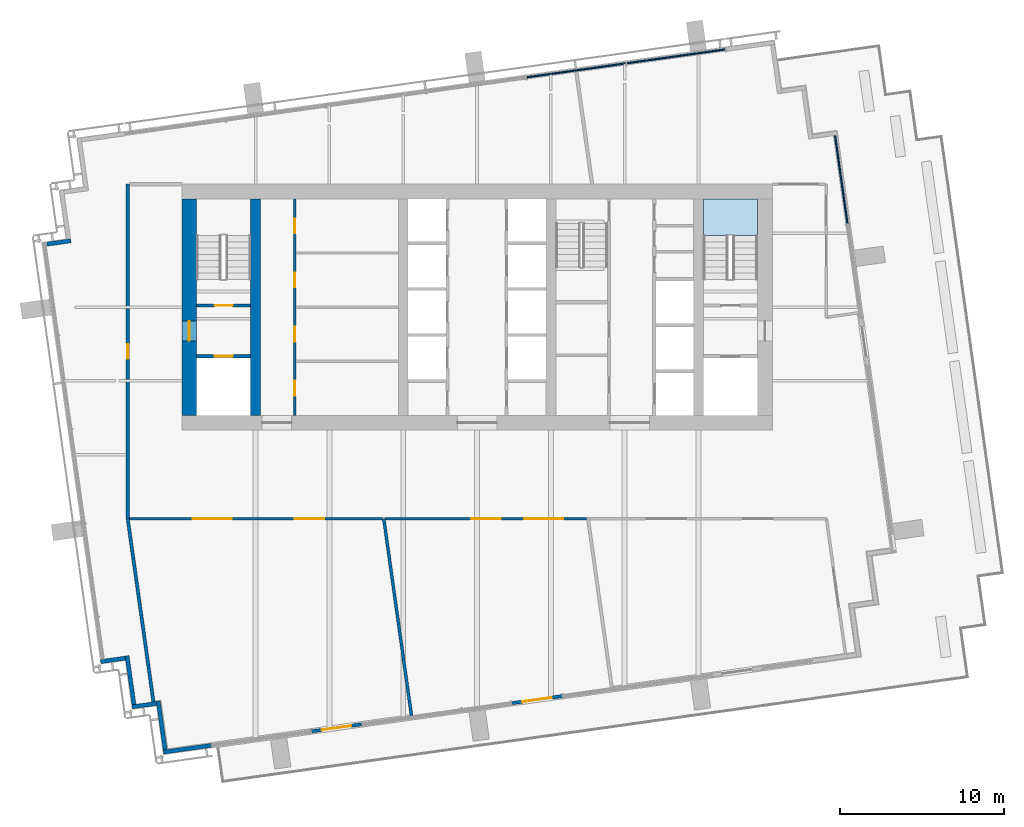
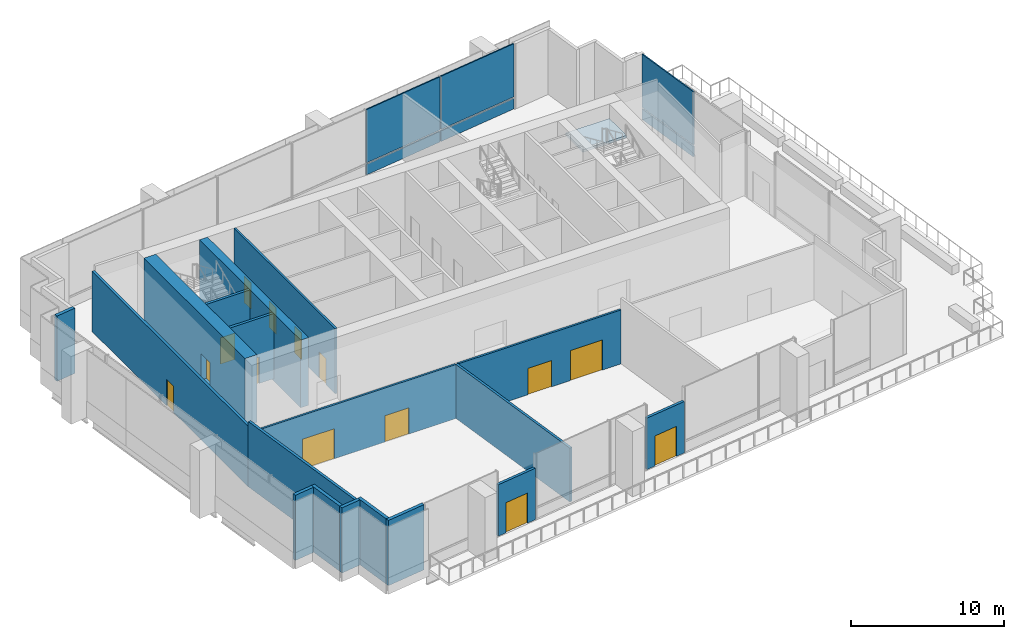
# One storey, part 6 of 14: 18 walls, 12 doors, 6 plates, 2 windows, 1 slab, 14 openings, 3 elements without a shape of their own.
"""IFC4 building model written with IfcOpenShell, lengths in metres."""

from ifc_helpers import new_model, si_unit, direction, frame, frame_2d, origin, origin_2d, place, context, subcontext, project, spatial, polyline, rectangle, outline, extrude, material, layer, layer_set, type_object, element, fill, aggregate, save


model = new_model("IFC4")

# Units and contexts
model_context = context("Model", 3, precision=1e-05, world=origin(), true_north=direction((0.0, 1.0)))
body_context = subcontext(model_context, "Body", "Model", "MODEL_VIEW")
ifc_project = project(units=[si_unit("LENGTHUNIT", "METRE"), si_unit("AREAUNIT", "SQUARE_METRE"), si_unit("VOLUMEUNIT", "CUBIC_METRE"), si_unit("PLANEANGLEUNIT", "RADIAN"), si_unit("MASSUNIT", "GRAM", prefix="KILO")], contexts=[model_context])

# Site, building, storey
site_placement = place(None, origin())
site = spatial("IfcSite", under=ifc_project, at=site_placement, CompositionType="ELEMENT")
building_placement = place(site_placement, origin())
building = spatial("IfcBuilding", under=site, at=building_placement, Name="Rattan Terrace Tower", CompositionType="ELEMENT")
storey_placement = place(building_placement, frame((0.0, 0.0, 249.699951171875)))
storey = spatial("IfcBuildingStorey", under=building, at=storey_placement, Name="L57", CompositionType="ELEMENT", Elevation=249.699951171875)

# Stair, slab
ifc_material_1 = material(Name="Concrete C40/50", Category="concrete")
stair_type = type_object("IfcStairType", Name="Core exit stair 1500", PredefinedType="HALF_TURN_STAIR", material=ifc_material_1)
stair_placement = place(storey_placement, origin())
stair = element("IfcStair", 1, at=stair_placement, inside=storey, type_object=stair_type, Name="L57 exit stair 2", PredefinedType="HALF_TURN_STAIR")
ifc_material_2 = material(Name="Concrete C40/50", Category="concrete")
ifc_layer_1 = layer(ifc_material_2, 0.199951171875)
ifc_layer_set_1 = layer_set([ifc_layer_1], Name="Core exit stair landing")
slab_type = type_object("IfcSlabType", Name="Core exit stair landing", PredefinedType="LANDING", material=ifc_layer_set_1)
slab_placement = place(storey_placement, frame((0.0, 0.0, 3.85009765625)))
slab = element("IfcSlab", 2, at=slab_placement, type_object=slab_type, Name="S2 landing 3", PredefinedType="LANDING", context=body_context, shape_type="SweptSolid", body=[
    extrude(outline(polyline([(17.10009765625, 4.360107421875), (17.10009765625, 6.60009765625), (13.800048828125, 6.60009765625), (13.800048828125, 4.360107421875), (17.10009765625, 4.360107421875)])), origin(), (0.0, 0.0, 1.0), 0.199951171875),
])
aggregate(stair, [slab])

# Curtain wall, plate
ifc_material_3 = material(Name="Steel fins, aluminium and glass", Category="steel")
ifc_layer_2 = layer(ifc_material_3, 0.300048828125)
ifc_layer_set_2 = layer_set([ifc_layer_2], Name="Sky Lobby Stick Curtain Wall")
curtain_wall_type = type_object("IfcCurtainWallType", Name="Sky Lobby Stick Curtain Wall", PredefinedType="NOTDEFINED", material=ifc_layer_set_2)
curtain_wall_1_placement = place(storey_placement, origin())
curtain_wall_1 = element("IfcCurtainWall", 3, at=curtain_wall_1_placement, inside=storey, type_object=curtain_wall_type, Name="Sky lobby curtain wall L57-2", PredefinedType="NOTDEFINED")
ifc_material_4 = material(Name="Insulated aluminium spandrel panel", Category="aluminium")
ifc_layer_3 = layer(ifc_material_4, 0.10009765625)
ifc_layer_set_3 = layer_set([ifc_layer_3], Name="Sky Lobby CW Insulated Panel")
plate_type_1 = type_object("IfcPlateType", Name="Sky Lobby CW Insulated Panel", PredefinedType="CURTAIN_PANEL", material=ifc_layer_set_3)
plate_1_placement = place(storey_placement, frame((22.203369140625, 7.772705078125, 0.0), z_axis=(0.0, 0.0, 1.0), x_axis=(-0.139191775431, 0.990265444036, 0.0)))
plate_1 = element("IfcPlate", 4, at=plate_1_placement, type_object=plate_type_1, Name="Panel cwl-L57-002.2.1", PredefinedType="CURTAIN_PANEL", context=body_context, shape_type="SweptSolid", body=[
    extrude(rectangle(XDim=5.442138671875, YDim=0.10009765625, at=origin_2d()), origin(), (0.0, 0.0, 1.0), 0.840087890625),
])

# Curtain wall, plates
curtain_wall_2_placement = place(storey_placement, origin())
curtain_wall_2 = element("IfcCurtainWall", 5, at=curtain_wall_2_placement, inside=storey, type_object=curtain_wall_type, Name="Sky lobby curtain wall L57-3", PredefinedType="NOTDEFINED")
plate_2_placement = place(storey_placement, frame((12.126953125, 15.289794921875, 0.0), z_axis=(0.0, 0.0, 1.0), x_axis=(-0.990265894013, -0.139188574079, 0.0)))
plate_2 = element("IfcPlate", 6, at=plate_2_placement, type_object=plate_type_1, Name="Panel cwl-L57-003.1.1", PredefinedType="CURTAIN_PANEL", context=body_context, shape_type="SweptSolid", body=[
    extrude(rectangle(XDim=6.0458984375, YDim=0.10009765625, at=origin_2d()), origin(), (0.0, 0.0, 1.0), 0.840087890625),
])
plate_3_placement = place(storey_placement, frame((6.040771484375, 14.434326171875, 0.0), z_axis=(0.0, 0.0, 1.0), x_axis=(-0.990265894013, -0.139188574079, 0.0)))
plate_3 = element("IfcPlate", 7, at=plate_3_placement, type_object=plate_type_1, Name="Panel cwl-L57-003.2.1", PredefinedType="CURTAIN_PANEL", context=body_context, shape_type="SweptSolid", body=[
    extrude(rectangle(XDim=6.0859375, YDim=0.10009765625, at=origin_2d()), origin(), (0.0, 0.0, 1.0), 0.840087890625),
])

# Plate
ifc_material_5 = material(Name="Laminated low-iron glass", Category="glass")
ifc_layer_4 = layer(ifc_material_5, 0.090087890625)
ifc_layer_set_4 = layer_set([ifc_layer_4], Name="Sky Lobby CW Vision Panel")
plate_type_2 = type_object("IfcPlateType", Name="Sky Lobby CW Vision Panel", PredefinedType="CURTAIN_PANEL", material=ifc_layer_set_4)
plate_4_placement = place(storey_placement, frame((22.203369140625, 7.772705078125, 0.9599609375), z_axis=(0.0, 0.0, 1.0), x_axis=(-0.139191775431, 0.990265444036, 0.0)))
plate_4 = element("IfcPlate", 8, at=plate_4_placement, type_object=plate_type_2, Name="Panel cwl-L57-002.2.2", PredefinedType="CURTAIN_PANEL", context=body_context, shape_type="SweptSolid", body=[
    extrude(rectangle(XDim=5.442138671875, YDim=0.090087890625, at=origin_2d()), origin(), (0.0, 0.0, 1.0), 4.239990234375),
])

aggregate(curtain_wall_1, [plate_1, plate_4])

plate_5_placement = place(storey_placement, frame((12.126953125, 15.289794921875, 0.9599609375), z_axis=(0.0, 0.0, 1.0), x_axis=(-0.990265894013, -0.139188574079, 0.0)))
plate_5 = element("IfcPlate", 9, at=plate_5_placement, type_object=plate_type_2, Name="Panel cwl-L57-003.1.2", PredefinedType="CURTAIN_PANEL", context=body_context, shape_type="SweptSolid", body=[
    extrude(rectangle(XDim=6.0458984375, YDim=0.090087890625, at=origin_2d()), origin(), (0.0, 0.0, 1.0), 4.239990234375),
])

plate_6_placement = place(storey_placement, frame((6.040771484375, 14.434326171875, 0.9599609375), z_axis=(0.0, 0.0, 1.0), x_axis=(-0.990265894013, -0.139188574079, 0.0)))
plate_6 = element("IfcPlate", 10, at=plate_6_placement, type_object=plate_type_2, Name="Panel cwl-L57-003.2.2", PredefinedType="CURTAIN_PANEL", context=body_context, shape_type="SweptSolid", body=[
    extrude(rectangle(XDim=6.0859375, YDim=0.090087890625, at=origin_2d()), origin(), (0.0, 0.0, 1.0), 4.239990234375),
])

aggregate(curtain_wall_2, [plate_2, plate_5, plate_3, plate_6])

# Wall, openings, doors
ifc_material_6 = material(Name="Gypsum board partition")
ifc_layer_5 = layer(ifc_material_6, 0.14990234375)
ifc_layer_set_5 = layer_set([ifc_layer_5], Name="Core partition 150")
wall_type_1 = type_object("IfcWallType", Name="Core partition 150", PredefinedType="PARTITIONING", material=ifc_layer_set_5)
wall_1_placement = place(storey_placement, frame((-11.125, -6.60009765625, 0.0), z_axis=(0.0, 0.0, 1.0), x_axis=(0.0, 1.0, 0.0)))
wall_1 = element("IfcWall", 11, at=wall_1_placement, inside=storey, type_object=wall_type_1, Name="Core room wall", PredefinedType="PARTITIONING", context=body_context, shape_type="SweptSolid", body=[
    extrude(rectangle(XDim=13.2001953125, YDim=0.14990234375, at=frame_2d((6.60009765625, 0.0))), origin(), (0.0, 0.0, 1.0), 5.199951171875),
])
opening_1_placement = place(wall_1_placement, frame((1.199951171875, 0.0, 0.0)))
opening_1 = element("IfcOpeningElement", 12, at=opening_1_placement, cuts=wall_1, Name="Opening L57-D005", PredefinedType="OPENING", context=body_context, shape_type="SweptSolid", body=[
    extrude(rectangle(XDim=0.89990234375, YDim=2.10009765625, at=frame_2d((0.449951171875, 1.050048828125))), frame((0.0, 0.08544921875, 0.0), z_axis=(0.0, -1.0, 0.0), x_axis=(1.0, 0.0, 0.0)), (0.0, 0.0, 1.0), 0.1708984375),
])
opening_2_placement = place(wall_1_placement, frame((4.5, 0.0, 0.0)))
opening_2 = element("IfcOpeningElement", 13, at=opening_2_placement, cuts=wall_1, Name="Opening L57-D006", PredefinedType="OPENING", context=body_context, shape_type="SweptSolid", body=[
    extrude(rectangle(XDim=0.89990234375, YDim=2.10009765625, at=frame_2d((0.449951171875, 1.050048828125))), frame((0.0, 0.08544921875, 0.0), z_axis=(0.0, -1.0, 0.0), x_axis=(1.0, 0.0, 0.0)), (0.0, 0.0, 1.0), 0.1708984375),
])
opening_3_placement = place(wall_1_placement, frame((7.800048828125, 0.0, 0.0)))
opening_3 = element("IfcOpeningElement", 14, at=opening_3_placement, cuts=wall_1, Name="Opening L57-D007", PredefinedType="OPENING", context=body_context, shape_type="SweptSolid", body=[
    extrude(rectangle(XDim=0.89990234375, YDim=2.10009765625, at=frame_2d((0.449951171875, 1.050048828125))), frame((0.0, 0.08544921875, 0.0), z_axis=(0.0, -1.0, 0.0), x_axis=(1.0, 0.0, 0.0)), (0.0, 0.0, 1.0), 0.1708984375),
])
opening_4_placement = place(wall_1_placement, frame((11.10009765625, 0.0, 0.0)))
opening_4 = element("IfcOpeningElement", 15, at=opening_4_placement, cuts=wall_1, Name="Opening L57-D008", PredefinedType="OPENING", context=body_context, shape_type="SweptSolid", body=[
    extrude(rectangle(XDim=0.89990234375, YDim=2.10009765625, at=frame_2d((0.449951171875, 1.050048828125))), frame((0.0, 0.08544921875, 0.0), z_axis=(0.0, -1.0, 0.0), x_axis=(1.0, 0.0, 0.0)), (0.0, 0.0, 1.0), 0.1708984375),
])
ifc_material_7 = material(Name="Hollow-metal fire door leaf")
door_type_1 = type_object("IfcDoorType", Name="Core service room door 900", OperationType="NOTDEFINED", PredefinedType="DOOR", material=ifc_material_7)
door_1_placement = place(opening_1_placement, origin())
door_1 = element("IfcDoor", 16, at=door_1_placement, inside=storey, type_object=door_type_1, Name="Door L57-D005", OperationType="SINGLE_SWING_RIGHT", OverallHeight=2.10009765625, OverallWidth=0.89990234375, PredefinedType="DOOR", context=body_context, shape_type="SweptSolid", body=[
    extrude(rectangle(XDim=0.89990234375, YDim=2.10009765625, at=frame_2d((0.449951171875, 1.050048828125))), frame((0.0, 0.02490234375, 0.0), z_axis=(0.0, -1.0, 0.0), x_axis=(1.0, 0.0, 0.0)), (0.0, 0.0, 1.0), 0.050048828125),
])
fill(opening_1, door_1)
door_2_placement = place(opening_2_placement, origin())
door_2 = element("IfcDoor", 17, at=door_2_placement, inside=storey, type_object=door_type_1, Name="Door L57-D006", OperationType="SINGLE_SWING_LEFT", OverallHeight=2.10009765625, OverallWidth=0.89990234375, PredefinedType="DOOR", context=body_context, shape_type="SweptSolid", body=[
    extrude(rectangle(XDim=0.89990234375, YDim=2.10009765625, at=frame_2d((0.449951171875, 1.050048828125))), frame((0.0, 0.02490234375, 0.0), z_axis=(0.0, -1.0, 0.0), x_axis=(1.0, 0.0, 0.0)), (0.0, 0.0, 1.0), 0.050048828125),
])
fill(opening_2, door_2)
door_3_placement = place(opening_3_placement, origin())
door_3 = element("IfcDoor", 18, at=door_3_placement, inside=storey, type_object=door_type_1, Name="Door L57-D007", OperationType="SINGLE_SWING_RIGHT", OverallHeight=2.10009765625, OverallWidth=0.89990234375, PredefinedType="DOOR", context=body_context, shape_type="SweptSolid", body=[
    extrude(rectangle(XDim=0.89990234375, YDim=2.10009765625, at=frame_2d((0.449951171875, 1.050048828125))), frame((0.0, 0.02490234375, 0.0), z_axis=(0.0, -1.0, 0.0), x_axis=(1.0, 0.0, 0.0)), (0.0, 0.0, 1.0), 0.050048828125),
])
fill(opening_3, door_3)
door_4_placement = place(opening_4_placement, origin())
door_4 = element("IfcDoor", 19, at=door_4_placement, inside=storey, type_object=door_type_1, Name="Door L57-D008", OperationType="SINGLE_SWING_LEFT", OverallHeight=2.10009765625, OverallWidth=0.89990234375, PredefinedType="DOOR", context=body_context, shape_type="SweptSolid", body=[
    extrude(rectangle(XDim=0.89990234375, YDim=2.10009765625, at=frame_2d((0.449951171875, 1.050048828125))), frame((0.0, 0.02490234375, 0.0), z_axis=(0.0, -1.0, 0.0), x_axis=(1.0, 0.0, 0.0)), (0.0, 0.0, 1.0), 0.050048828125),
])
fill(opening_4, door_4)

# Wall, opening, door
ifc_material_8 = material(Name="Gypsum board partition")
ifc_layer_6 = layer(ifc_material_8, 0.199951171875)
ifc_layer_set_6 = layer_set([ifc_layer_6], Name="Core partition 200")
wall_type_2 = type_object("IfcWallType", Name="Core partition 200", PredefinedType="PARTITIONING", material=ifc_layer_set_6)
wall_2_placement = place(storey_placement, frame((-17.10009765625, -3.0, 0.0), z_axis=(0.0, 0.0, 1.0), x_axis=(1.0, 0.0, 0.0)))
wall_2 = element("IfcWall", 20, at=wall_2_placement, inside=storey, type_object=wall_type_2, Name="Fire-fighting lobby wall", PredefinedType="PARTITIONING", context=body_context, shape_type="SweptSolid", body=[
    extrude(rectangle(XDim=3.300048828125, YDim=0.199951171875, at=frame_2d((1.64990234375, 0.0))), origin(), (0.0, 0.0, 1.0), 5.199951171875),
])
opening_5_placement = place(wall_2_placement, frame((1.10009765625, 0.0, 0.0)))
opening_5 = element("IfcOpeningElement", 21, at=opening_5_placement, cuts=wall_2, Name="Opening L57-LD-FF1", PredefinedType="OPENING", context=body_context, shape_type="SweptSolid", body=[
    extrude(rectangle(XDim=1.10009765625, YDim=2.10009765625, at=frame_2d((0.550048828125, 1.050048828125))), frame((0.0, 0.110595703125, 0.0), z_axis=(0.0, -1.0, 0.0), x_axis=(1.0, 0.0, 0.0)), (0.0, 0.0, 1.0), 0.220947265625),
])
ifc_material_9 = material(Name="Brushed stainless landing door panel")
door_type_2 = type_object("IfcDoorType", Name="Core lift landing door 1100", OperationType="DOUBLE_DOOR_SLIDING", PredefinedType="DOOR", material=ifc_material_9)
door_5_placement = place(opening_5_placement, origin())
door_5 = element("IfcDoor", 22, at=door_5_placement, inside=storey, type_object=door_type_2, Name="Door L57-LD-FF1", OperationType="DOUBLE_DOOR_SLIDING", OverallHeight=2.10009765625, OverallWidth=1.10009765625, PredefinedType="DOOR", context=body_context, shape_type="SweptSolid", body=[
    extrude(rectangle(XDim=1.10009765625, YDim=2.10009765625, at=frame_2d((0.550048828125, 1.050048828125))), frame((0.0, 0.02490234375, 0.0), z_axis=(0.0, -1.0, 0.0), x_axis=(1.0, 0.0, 0.0)), (0.0, 0.0, 1.0), 0.050048828125),
])
fill(opening_5, door_5)

wall_3_placement = place(storey_placement, frame((-17.10009765625, 0.10009765625, 0.0), z_axis=(0.0, 0.0, 1.0), x_axis=(1.0, 0.0, 0.0)))
wall_3 = element("IfcWall", 23, at=wall_3_placement, inside=storey, type_object=wall_type_2, Name="Stair enclosure wall", PredefinedType="PARTITIONING", context=body_context, shape_type="SweptSolid", body=[
    extrude(rectangle(XDim=3.300048828125, YDim=0.199951171875, at=frame_2d((1.64990234375, 0.0))), origin(), (0.0, 0.0, 1.0), 5.199951171875),
])
opening_6_placement = place(wall_3_placement, frame((1.10009765625, 0.0, 0.0)))
opening_6 = element("IfcOpeningElement", 24, at=opening_6_placement, cuts=wall_3, Name="Opening L57-D002", PredefinedType="OPENING", context=body_context, shape_type="SweptSolid", body=[
    extrude(rectangle(XDim=1.10009765625, YDim=2.10009765625, at=frame_2d((0.550048828125, 1.050048828125))), frame((0.0, 0.110595703125, 0.0), z_axis=(0.0, -1.0, 0.0), x_axis=(1.0, 0.0, 0.0)), (0.0, 0.0, 1.0), 0.220947265625),
])
ifc_material_10 = material(Name="Hollow-metal fire door leaf")
door_type_3 = type_object("IfcDoorType", Name="Core stair door 1100", OperationType="NOTDEFINED", PredefinedType="DOOR", material=ifc_material_10)
door_6_placement = place(opening_6_placement, origin())
door_6 = element("IfcDoor", 25, at=door_6_placement, inside=storey, type_object=door_type_3, Name="Door L57-D002", OperationType="SINGLE_SWING_LEFT", OverallHeight=2.10009765625, OverallWidth=1.10009765625, PredefinedType="DOOR", context=body_context, shape_type="SweptSolid", body=[
    extrude(rectangle(XDim=1.10009765625, YDim=2.10009765625, at=frame_2d((0.550048828125, 1.050048828125))), frame((0.0, 0.02490234375, 0.0), z_axis=(0.0, -1.0, 0.0), x_axis=(1.0, 0.0, 0.0)), (0.0, 0.0, 1.0), 0.050048828125),
])
fill(opening_6, door_6)

ifc_material_11 = material(Name="Concrete C50/60", Category="concrete")
ifc_layer_7 = layer(ifc_material_11, 0.89990234375)
ifc_layer_set_7 = layer_set([ifc_layer_7], Name="Core ring wall 900 C50/60")
wall_type_3 = type_object("IfcWallType", Name="Core ring wall 900 C50/60", PredefinedType="SHEAR", material=ifc_layer_set_7)
wall_4_placement = place(storey_placement, frame((-17.550048828125, -6.60009765625, -0.199951171875), z_axis=(0.0, 0.0, 1.0), x_axis=(0.0, 1.0, 0.0)))
wall_4 = element("IfcWall", 26, at=wall_4_placement, inside=storey, type_object=wall_type_3, Name="Rear core wall west", PredefinedType="SHEAR", context=body_context, shape_type="SweptSolid", body=[
    extrude(rectangle(XDim=13.2001953125, YDim=0.89990234375, at=frame_2d((6.60009765625, 0.0))), origin(), (0.0, 0.0, 1.0), 5.39990234375),
])
opening_7_placement = place(wall_4_placement, frame((4.550048828125, 0.0, 0.199951171875)))
opening_7 = element("IfcOpeningElement", 27, at=opening_7_placement, cuts=wall_4, Name="Opening L57-D001", PredefinedType="OPENING", context=body_context, shape_type="SweptSolid", body=[
    extrude(rectangle(XDim=1.199951171875, YDim=2.10009765625, at=frame_2d((0.60009765625, 1.050048828125))), frame((0.0, 0.46044921875, 0.0), z_axis=(0.0, -1.0, 0.0), x_axis=(1.0, 0.0, 0.0)), (0.0, 0.0, 1.0), 0.9208984375),
])
ifc_material_12 = material(Name="Hollow-metal fire door leaf")
door_type_4 = type_object("IfcDoorType", Name="Core fire-fighting lobby door 1200", OperationType="NOTDEFINED", PredefinedType="DOOR", material=ifc_material_12)
door_7_placement = place(opening_7_placement, origin())
door_7 = element("IfcDoor", 28, at=door_7_placement, inside=storey, type_object=door_type_4, Name="Door L57-D001", OperationType="SINGLE_SWING_RIGHT", OverallHeight=2.10009765625, OverallWidth=1.199951171875, PredefinedType="DOOR", context=body_context, shape_type="SweptSolid", body=[
    extrude(rectangle(XDim=1.199951171875, YDim=2.10009765625, at=frame_2d((0.60009765625, 1.050048828125))), frame((0.0, 0.02490234375, 0.0), z_axis=(0.0, -1.0, 0.0), x_axis=(1.0, 0.0, 0.0)), (0.0, 0.0, 1.0), 0.050048828125),
])
fill(opening_7, door_7)

# Wall
ifc_material_13 = material(Name="Concrete C50/60", Category="concrete")
ifc_layer_8 = layer(ifc_material_13, 0.60009765625)
ifc_layer_set_8 = layer_set([ifc_layer_8], Name="Core spine wall 600 C50/60")
wall_type_4 = type_object("IfcWallType", Name="Core spine wall 600 C50/60", PredefinedType="SHEAR", material=ifc_layer_set_8)
wall_5_placement = place(storey_placement, frame((-13.5, -6.60009765625, -0.199951171875), z_axis=(0.0, 0.0, 1.0), x_axis=(0.0, 1.0, 0.0)))
element("IfcWall", 29, at=wall_5_placement, inside=storey, type_object=wall_type_4, Name="Core spine wall 1", PredefinedType="SHEAR", context=body_context, shape_type="SweptSolid", body=[
    extrude(rectangle(XDim=13.2001953125, YDim=0.60009765625, at=frame_2d((6.60009765625, 0.0))), origin(), (0.0, 0.0, 1.0), 5.39990234375),
])

# Wall, opening, door
ifc_material_14 = material(Name="Insulated aluminium-clad stud wall", Category="aluminium")
ifc_layer_9 = layer(ifc_material_14, 0.199951171875)
ifc_layer_set_9 = layer_set([ifc_layer_9], Name="Facade Door Wall 200")
wall_type_5 = type_object("IfcWallType", Name="Facade Door Wall 200", PredefinedType="SOLIDWALL", material=ifc_layer_set_9)
wall_6_placement = place(storey_placement, frame((-10.09375, -25.863525390625, 0.0), z_axis=(0.0, 0.0, 1.0), x_axis=(0.990262208678, 0.139214791112, 0.0)))
wall_6 = element("IfcWall", 30, at=wall_6_placement, inside=storey, type_object=wall_type_5, Name="Terrace door wall L57-22", PredefinedType="SOLIDWALL", context=body_context, shape_type="SweptSolid", body=[
    extrude(rectangle(XDim=3.0830078125, YDim=0.199951171875, at=frame_2d((1.54150390625, 0.0))), origin(), (0.0, 0.0, 1.0), 4.10009765625),
])
opening_8_placement = place(wall_6_placement, frame((0.6416015625, 0.0, 0.0)))
opening_8 = element("IfcOpeningElement", 31, at=opening_8_placement, cuts=wall_6, Name="Opening L57-D702", PredefinedType="OPENING", context=body_context, shape_type="SweptSolid", body=[
    extrude(rectangle(XDim=1.800048828125, YDim=2.39990234375, at=frame_2d((0.89990234375, 1.199951171875))), frame((0.0, 0.110595703125, 0.0), z_axis=(0.0, -1.0, 0.0), x_axis=(1.0, 0.0, 0.0)), (0.0, 0.0, 1.0), 0.220947265625),
])
ifc_material_15 = material(Name="Aluminium and clear glass", Category="aluminium")
door_type_5 = type_object("IfcDoorType", Name="Facade Terrace Door 1800", OperationType="DOUBLE_DOOR_SINGLE_SWING", PredefinedType="DOOR", material=ifc_material_15)
door_8_placement = place(opening_8_placement, origin())
door_8 = element("IfcDoor", 32, at=door_8_placement, inside=storey, type_object=door_type_5, Name="Terrace door L57-D702", OperationType="DOUBLE_DOOR_SINGLE_SWING", OverallHeight=2.39990234375, OverallWidth=1.800048828125, PredefinedType="DOOR", context=body_context, shape_type="SweptSolid", body=[
    extrude(rectangle(XDim=1.800048828125, YDim=2.39990234375, at=frame_2d((0.89990234375, 1.199951171875))), frame((0.0, 0.02490234375, 0.0), z_axis=(0.0, -1.0, 0.0), x_axis=(1.0, 0.0, 0.0)), (0.0, 0.0, 1.0), 0.050048828125),
])
fill(opening_8, door_8)

wall_7_placement = place(storey_placement, frame((2.1181640625, -24.14697265625, 0.0), z_axis=(0.0, 0.0, 1.0), x_axis=(0.990263743246, 0.13920387499, 0.0)))
wall_7 = element("IfcWall", 33, at=wall_7_placement, inside=storey, type_object=wall_type_5, Name="Terrace door wall L57-23", PredefinedType="SOLIDWALL", context=body_context, shape_type="SweptSolid", body=[
    extrude(rectangle(XDim=3.083251953125, YDim=0.199951171875, at=frame_2d((1.54150390625, 0.0))), origin(), (0.0, 0.0, 1.0), 4.10009765625),
])
opening_9_placement = place(wall_7_placement, frame((0.6416015625, 0.0, 0.0)))
opening_9 = element("IfcOpeningElement", 34, at=opening_9_placement, cuts=wall_7, Name="Opening L57-D703", PredefinedType="OPENING", context=body_context, shape_type="SweptSolid", body=[
    extrude(rectangle(XDim=1.800048828125, YDim=2.39990234375, at=frame_2d((0.89990234375, 1.199951171875))), frame((0.0, 0.110595703125, 0.0), z_axis=(0.0, -1.0, 0.0), x_axis=(1.0, 0.0, 0.0)), (0.0, 0.0, 1.0), 0.220947265625),
])
door_9_placement = place(opening_9_placement, origin())
door_9 = element("IfcDoor", 35, at=door_9_placement, inside=storey, type_object=door_type_5, Name="Terrace door L57-D703", OperationType="DOUBLE_DOOR_SINGLE_SWING", OverallHeight=2.39990234375, OverallWidth=1.800048828125, PredefinedType="DOOR", context=body_context, shape_type="SweptSolid", body=[
    extrude(rectangle(XDim=1.800048828125, YDim=2.39990234375, at=frame_2d((0.89990234375, 1.199951171875))), frame((0.0, 0.02490234375, 0.0), z_axis=(0.0, -1.0, 0.0), x_axis=(1.0, 0.0, 0.0)), (0.0, 0.0, 1.0), 0.050048828125),
])
fill(opening_9, door_9)

# Walls
ifc_material_16 = material(Name="Insulated aluminium-clad stud wall", Category="aluminium")
ifc_layer_10 = layer(ifc_material_16, 0.25)
ifc_layer_set_10 = layer_set([ifc_layer_10], Name="Facade Riser Wall 250")
wall_type_6 = type_object("IfcWallType", Name="Facade Riser Wall 250", PredefinedType="SOLIDWALL", material=ifc_layer_set_10)
wall_8_placement = place(storey_placement, frame((-24.769287109375, 4.045654296875, 0.0), z_axis=(0.0, 0.0, 1.0), x_axis=(-0.990271190169, -0.139150889045, 0.0)))
element("IfcWall", 36, at=wall_8_placement, inside=storey, type_object=wall_type_6, Name="Riser wall L57-16", PredefinedType="SOLIDWALL", context=body_context, shape_type="SweptSolid", body=[
    extrude(rectangle(XDim=1.4755859375, YDim=0.25, at=frame_2d((0.73779296875, 0.0))), origin(), (0.0, 0.0, 1.0), 5.199951171875),
])
wall_9_placement = place(storey_placement, frame((-22.955810546875, -21.61181640625, 0.0), z_axis=(0.0, 0.0, 1.0), x_axis=(0.990248296447, 0.139313715703, 0.0)))
element("IfcWall", 37, at=wall_9_placement, inside=storey, type_object=wall_type_6, Name="Riser wall L57-17", PredefinedType="SOLIDWALL", context=body_context, shape_type="SweptSolid", body=[
    extrude(rectangle(XDim=1.524658203125, YDim=0.25, at=frame_2d((0.76220703125, 0.0))), origin(), (0.0, 0.0, 1.0), 5.199951171875),
])
wall_10_placement = place(storey_placement, frame((-21.33984375, -21.25830078125, 0.0), z_axis=(0.0, 0.0, 1.0), x_axis=(0.139393225799, -0.990237107263, 0.0)))
element("IfcWall", 38, at=wall_10_placement, inside=storey, type_object=wall_type_6, Name="Riser wall L57-18", PredefinedType="SOLIDWALL", context=body_context, shape_type="SweptSolid", body=[
    extrude(rectangle(XDim=3.000244140625, YDim=0.25, at=frame_2d((1.5, 0.0))), origin(), (0.0, 0.0, 1.0), 5.199951171875),
])
wall_11_placement = place(storey_placement, frame((-21.028076171875, -24.370361328125, 0.0), z_axis=(0.0, 0.0, 1.0), x_axis=(0.990330117064, 0.138730887823, 0.0)))
element("IfcWall", 39, at=wall_11_placement, inside=storey, type_object=wall_type_6, Name="Riser wall L57-19", PredefinedType="SOLIDWALL", context=body_context, shape_type="SweptSolid", body=[
    extrude(rectangle(XDim=1.499267578125, YDim=0.25, at=frame_2d((0.74951171875, 0.0))), origin(), (0.0, 0.0, 1.0), 5.199951171875),
])
wall_12_placement = place(storey_placement, frame((-19.436767578125, -24.021240234375, 0.0), z_axis=(0.0, 0.0, 1.0), x_axis=(0.139358350296, -0.990242015975, 0.0)))
element("IfcWall", 40, at=wall_12_placement, inside=storey, type_object=wall_type_6, Name="Riser wall L57-20", PredefinedType="SOLIDWALL", context=body_context, shape_type="SweptSolid", body=[
    extrude(rectangle(XDim=2.999267578125, YDim=0.25, at=frame_2d((1.49951171875, 0.0))), origin(), (0.0, 0.0, 1.0), 5.199951171875),
])
wall_13_placement = place(storey_placement, frame((-19.125244140625, -27.13232421875, 0.0), z_axis=(0.0, 0.0, 1.0), x_axis=(0.990291981483, 0.139002846771, 0.0)))
element("IfcWall", 41, at=wall_13_placement, inside=storey, type_object=wall_type_6, Name="Riser wall L57-21", PredefinedType="SOLIDWALL", context=body_context, shape_type="SweptSolid", body=[
    extrude(rectangle(XDim=2.9541015625, YDim=0.25, at=frame_2d((1.47705078125, 0.0))), origin(), (0.0, 0.0, 1.0), 5.199951171875),
])
ifc_material_17 = material(Name="Double steel stud acoustic partition, gypsum board, mineral wool, fire rated", Category="steel")
ifc_layer_11 = layer(ifc_material_17, 0.179931640625)
ifc_layer_set_11 = layer_set([ifc_layer_11], Name="Floors Acoustic Party Wall 180")
wall_type_7 = type_object("IfcWallType", Name="Floors Acoustic Party Wall 180", PredefinedType="PARTITIONING", material=ifc_layer_set_11)
wall_14_placement = place(storey_placement, frame((-3.9990234375, -24.916015625, 0.0), z_axis=(0.0, 0.0, 1.0), x_axis=(-0.139190092612, 0.990265680572, 0.0)))
element("IfcWall", 42, at=wall_14_placement, inside=storey, type_object=wall_type_7, Name="pt-L57-011", PredefinedType="PARTITIONING", context=body_context, shape_type="SweptSolid", body=[
    extrude(rectangle(XDim=12.13427734375, YDim=0.179931640625, at=frame_2d((6.067138671875, 0.0))), origin(), (0.0, 0.0, 1.0), 4.300048828125),
])

# Wall, opening, door
ifc_material_18 = material(Name="Concrete block wall, plastered", Category="concrete")
ifc_layer_12 = layer(ifc_material_18, 0.199951171875)
ifc_layer_set_12 = layer_set([ifc_layer_12], Name="Floors Plant Wall 200")
wall_type_8 = type_object("IfcWallType", Name="Floors Plant Wall 200", PredefinedType="PARTITIONING", material=ifc_layer_set_12)
wall_15_placement = place(storey_placement, frame((-21.300048828125, -12.89990234375, 0.0), z_axis=(0.0, 0.0, 1.0), x_axis=(0.0, 1.0, 0.0)))
wall_15 = element("IfcWall", 43, at=wall_15_placement, inside=storey, type_object=wall_type_8, Name="pt-L57-008", PredefinedType="PARTITIONING", context=body_context, shape_type="SweptSolid", body=[
    extrude(rectangle(XDim=20.39990234375, YDim=0.199951171875, at=frame_2d((10.199951171875, 0.0))), origin(), (0.0, 0.0, 1.0), 4.800048828125),
])
opening_10_placement = place(wall_15_placement, frame((9.75, 0.0, 0.0)))
opening_10 = element("IfcOpeningElement", 44, at=opening_10_placement, cuts=wall_15, Name="Opening L57-D104", PredefinedType="OPENING", context=body_context, shape_type="SweptSolid", body=[
    extrude(rectangle(XDim=0.89990234375, YDim=2.10009765625, at=frame_2d((0.449951171875, 1.050048828125))), frame((0.0, 0.110595703125, 0.0), z_axis=(0.0, -1.0, 0.0), x_axis=(1.0, 0.0, 0.0)), (0.0, 0.0, 1.0), 0.220947265625),
])
ifc_material_19 = material(Name="Steel fire door set", Category="steel")
door_type_6 = type_object("IfcDoorType", Name="Floors Fire Door FD60 900x2100", OperationType="NOTDEFINED", PredefinedType="DOOR", material=ifc_material_19)
door_10_placement = place(opening_10_placement, origin())
door_10 = element("IfcDoor", 45, at=door_10_placement, inside=storey, type_object=door_type_6, Name="d-L57-104", OperationType="SINGLE_SWING_LEFT", OverallHeight=2.10009765625, OverallWidth=0.89990234375, PredefinedType="DOOR", context=body_context, shape_type="SweptSolid", body=[
    extrude(rectangle(XDim=0.89990234375, YDim=2.10009765625, at=frame_2d((0.449951171875, 1.050048828125))), frame((0.0, 0.02490234375, 0.0), z_axis=(0.0, -1.0, 0.0), x_axis=(1.0, 0.0, 0.0)), (0.0, 0.0, 1.0), 0.050048828125),
])
fill(opening_10, door_10)

# Wall
wall_16_placement = place(storey_placement, frame((-19.72607421875, -24.096923828125, 0.0), z_axis=(0.0, 0.0, 1.0), x_axis=(-0.139202229338, 0.990263974578, 0.0)))
element("IfcWall", 46, at=wall_16_placement, inside=storey, type_object=wall_type_8, Name="pt-L57-012", PredefinedType="PARTITIONING", context=body_context, shape_type="SweptSolid", body=[
    extrude(rectangle(XDim=11.30712890625, YDim=0.199951171875, at=frame_2d((5.653564453125, 0.0))), origin(), (0.0, 0.0, 1.0), 5.199951171875),
])

# Wall, openings, door, window
ifc_material_20 = material(Name="Gypsum board partition on steel studs, fire rated", Category="steel")
ifc_layer_13 = layer(ifc_material_20, 0.14990234375)
ifc_layer_set_13 = layer_set([ifc_layer_13], Name="Floors Tenancy Wall 150")
wall_type_9 = type_object("IfcWallType", Name="Floors Tenancy Wall 150", PredefinedType="PARTITIONING", material=ifc_layer_set_13)
wall_17_placement = place(storey_placement, frame((6.677978515625, -12.89990234375, 0.0), z_axis=(0.0, 0.0, 1.0), x_axis=(-1.0, 0.0, 0.0)))
wall_17 = element("IfcWall", 47, at=wall_17_placement, inside=storey, type_object=wall_type_9, Name="pt-L57-003", PredefinedType="PARTITIONING", context=body_context, shape_type="SweptSolid", body=[
    extrude(rectangle(XDim=12.264892578125, YDim=0.14990234375, at=frame_2d((6.13232421875, 0.0))), origin(), (0.0, 0.0, 1.0), 4.300048828125),
])
opening_11_placement = place(wall_17_placement, frame((5.23193359375, 0.0, 0.0)))
opening_11 = element("IfcOpeningElement", 48, at=opening_11_placement, cuts=wall_17, Name="Opening L57-D101", PredefinedType="OPENING", context=body_context, shape_type="SweptSolid", body=[
    extrude(rectangle(XDim=1.800048828125, YDim=2.10009765625, at=frame_2d((0.89990234375, 1.050048828125))), frame((0.0, 0.08544921875, 0.0), z_axis=(0.0, -1.0, 0.0), x_axis=(1.0, 0.0, 0.0)), (0.0, 0.0, 1.0), 0.1708984375),
])
opening_12_placement = place(wall_17_placement, frame((1.416015625, 0.0, 0.0)))
opening_12 = element("IfcOpeningElement", 49, at=opening_12_placement, cuts=wall_17, Name="Opening L57-W102", PredefinedType="OPENING", context=body_context, shape_type="SweptSolid", body=[
    extrude(rectangle(XDim=2.39990234375, YDim=2.39990234375, at=frame_2d((1.199951171875, 1.199951171875))), frame((0.0, 0.08544921875, 0.0), z_axis=(0.0, -1.0, 0.0), x_axis=(1.0, 0.0, 0.0)), (0.0, 0.0, 1.0), 0.1708984375),
])
ifc_material_21 = material(Name="Steel fire door set", Category="steel")
door_type_7 = type_object("IfcDoorType", Name="Floors Fire Door Pair FD30S 1800x2100", OperationType="NOTDEFINED", PredefinedType="DOOR", material=ifc_material_21)
door_11_placement = place(opening_11_placement, origin())
door_11 = element("IfcDoor", 50, at=door_11_placement, inside=storey, type_object=door_type_7, Name="d-L57-101", OperationType="DOUBLE_DOOR_SINGLE_SWING", OverallHeight=2.10009765625, OverallWidth=1.800048828125, PredefinedType="DOOR", context=body_context, shape_type="SweptSolid", body=[
    extrude(rectangle(XDim=1.800048828125, YDim=2.10009765625, at=frame_2d((0.89990234375, 1.050048828125))), frame((0.0, 0.02490234375, 0.0), z_axis=(0.0, -1.0, 0.0), x_axis=(1.0, 0.0, 0.0)), (0.0, 0.0, 1.0), 0.050048828125),
])
fill(opening_11, door_11)
ifc_material_22 = material(Name="Glass, clear, fixed in aluminium frame", Category="aluminium")
window_type = type_object("IfcWindowType", Name="Interior Glazed Screen 2400x2400", PartitioningType="SINGLE_PANEL", PredefinedType="WINDOW", material=ifc_material_22)
window_1_placement = place(opening_12_placement, origin())
window_1 = element("IfcWindow", 51, at=window_1_placement, inside=storey, type_object=window_type, Name="w-L57-102", OverallHeight=2.39990234375, OverallWidth=2.39990234375, PartitioningType="SINGLE_PANEL", PredefinedType="WINDOW", context=body_context, shape_type="SweptSolid", body=[
    extrude(rectangle(XDim=2.39990234375, YDim=2.39990234375, at=frame_2d((1.199951171875, 1.199951171875))), frame((0.0, 0.030029296875, 0.0), z_axis=(0.0, -1.0, 0.0), x_axis=(1.0, 0.0, 0.0)), (0.0, 0.0, 1.0), 0.06005859375),
])
fill(opening_12, window_1)

wall_18_placement = place(storey_placement, frame((-5.777099609375, -12.89990234375, 0.0), z_axis=(0.0, 0.0, 1.0), x_axis=(-1.0, 0.0, 0.0)))
wall_18 = element("IfcWall", 52, at=wall_18_placement, inside=storey, type_object=wall_type_9, Name="pt-L57-004", PredefinedType="PARTITIONING", context=body_context, shape_type="SweptSolid", body=[
    extrude(rectangle(XDim=15.4228515625, YDim=0.14990234375, at=frame_2d((7.71142578125, 0.0))), origin(), (0.0, 0.0, 1.0), 4.300048828125),
])
opening_13_placement = place(wall_18_placement, frame((3.531005859375, 0.0, 0.0)))
opening_13 = element("IfcOpeningElement", 53, at=opening_13_placement, cuts=wall_18, Name="Opening L57-D102", PredefinedType="OPENING", context=body_context, shape_type="SweptSolid", body=[
    extrude(rectangle(XDim=1.800048828125, YDim=2.10009765625, at=frame_2d((0.89990234375, 1.050048828125))), frame((0.0, 0.08544921875, 0.0), z_axis=(0.0, -1.0, 0.0), x_axis=(1.0, 0.0, 0.0)), (0.0, 0.0, 1.0), 0.1708984375),
])
opening_14_placement = place(wall_18_placement, frame((9.169921875, 0.0, 0.0)))
opening_14 = element("IfcOpeningElement", 54, at=opening_14_placement, cuts=wall_18, Name="Opening L57-W103", PredefinedType="OPENING", context=body_context, shape_type="SweptSolid", body=[
    extrude(rectangle(XDim=2.39990234375, YDim=2.39990234375, at=frame_2d((1.199951171875, 1.199951171875))), frame((0.0, 0.08544921875, 0.0), z_axis=(0.0, -1.0, 0.0), x_axis=(1.0, 0.0, 0.0)), (0.0, 0.0, 1.0), 0.1708984375),
])
door_12_placement = place(opening_13_placement, origin())
door_12 = element("IfcDoor", 55, at=door_12_placement, inside=storey, type_object=door_type_7, Name="d-L57-102", OperationType="DOUBLE_DOOR_SINGLE_SWING", OverallHeight=2.10009765625, OverallWidth=1.800048828125, PredefinedType="DOOR", context=body_context, shape_type="SweptSolid", body=[
    extrude(rectangle(XDim=1.800048828125, YDim=2.10009765625, at=frame_2d((0.89990234375, 1.050048828125))), frame((0.0, 0.02490234375, 0.0), z_axis=(0.0, -1.0, 0.0), x_axis=(1.0, 0.0, 0.0)), (0.0, 0.0, 1.0), 0.050048828125),
])
fill(opening_13, door_12)
window_2_placement = place(opening_14_placement, origin())
window_2 = element("IfcWindow", 56, at=window_2_placement, inside=storey, type_object=window_type, Name="w-L57-103", OverallHeight=2.39990234375, OverallWidth=2.39990234375, PartitioningType="SINGLE_PANEL", PredefinedType="WINDOW", context=body_context, shape_type="SweptSolid", body=[
    extrude(rectangle(XDim=2.39990234375, YDim=2.39990234375, at=frame_2d((1.199951171875, 1.199951171875))), frame((0.0, 0.030029296875, 0.0), z_axis=(0.0, -1.0, 0.0), x_axis=(1.0, 0.0, 0.0)), (0.0, 0.0, 1.0), 0.06005859375),
])
fill(opening_14, window_2)

save(model, "model.ifc")
